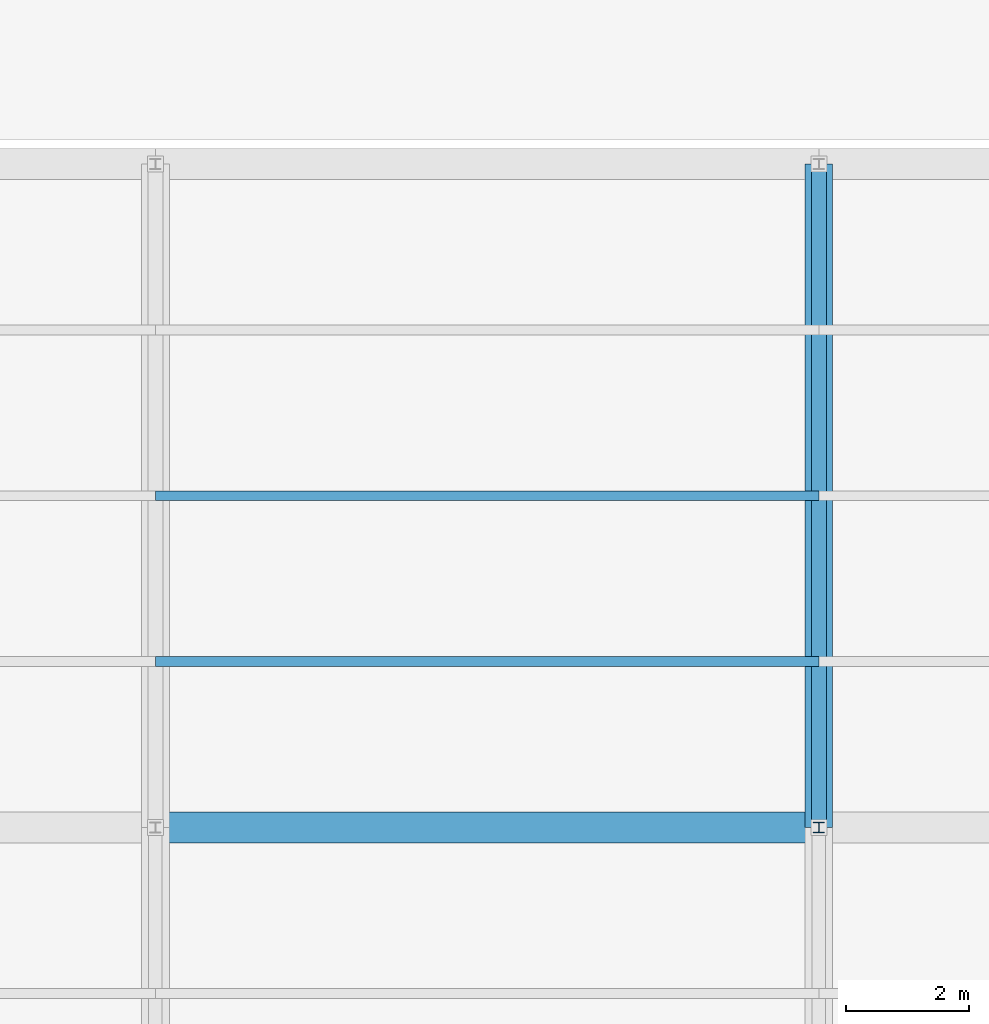
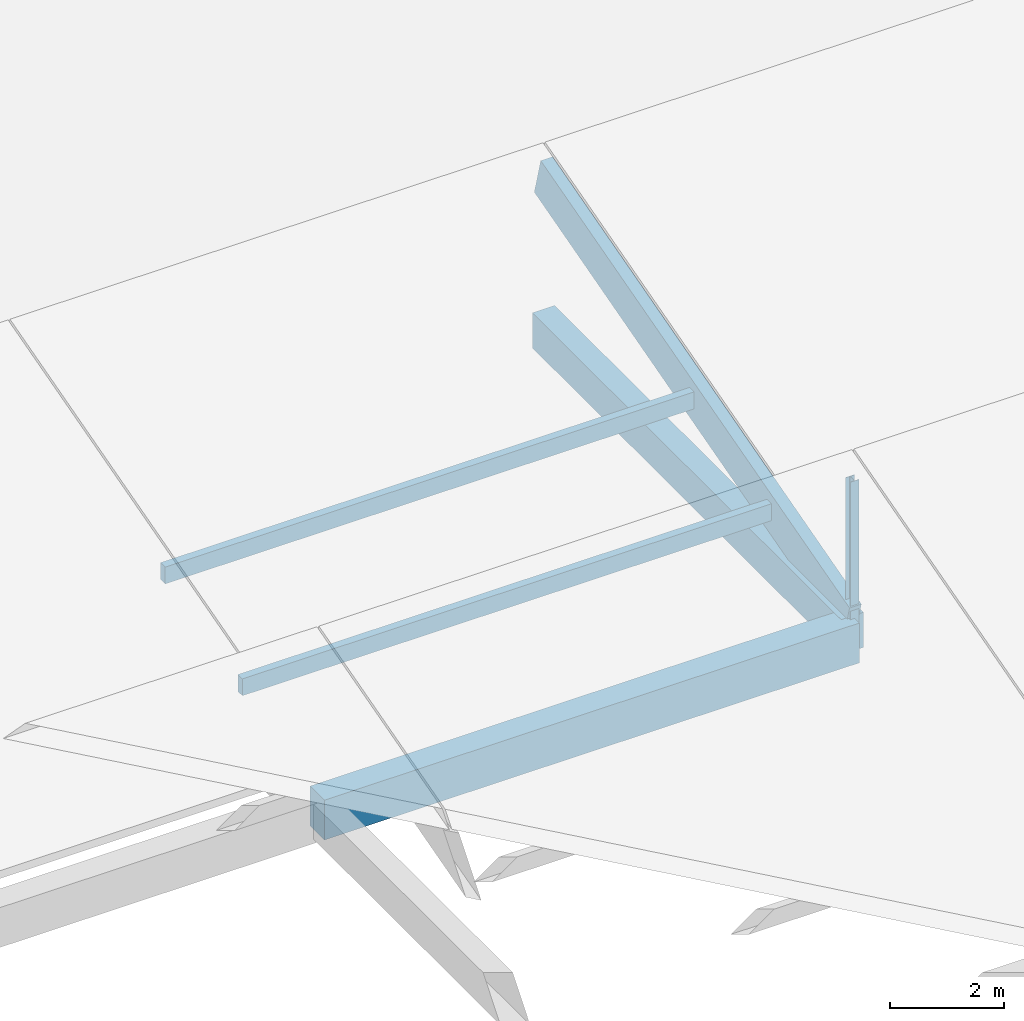
# One storey, part 32 of 112: 4 members, 2 beams.
"""IFC4 building model written with IfcOpenShell, lengths in metres."""

from ifc_helpers import new_model, si_unit, direction, frame, origin, origin_2d, place, context, subcontext, project, spatial, rectangle, i_section, extrude, material, material_profile, profile_set, type_object, element, save


model = new_model("IFC4")

# Units and contexts
model_context = context("Model", 3, precision=1e-05, world=origin(), true_north=direction((0.0, 1.0)))
body_context = subcontext(model_context, "Body", "Model", "MODEL_VIEW")
ifc_project = project(units=[si_unit("LENGTHUNIT", "METRE"), si_unit("AREAUNIT", "SQUARE_METRE"), si_unit("VOLUMEUNIT", "CUBIC_METRE"), si_unit("PLANEANGLEUNIT", "RADIAN"), si_unit("MASSUNIT", "GRAM", prefix="KILO")], contexts=[model_context])

# Site, building, storey
site_placement = place(None, origin())
site = spatial("IfcSite", under=ifc_project, at=site_placement, CompositionType="ELEMENT")
building_placement = place(site_placement, origin())
building = spatial("IfcBuilding", under=site, at=building_placement, Name="Zwinboog Wholesale Market", CompositionType="ELEMENT")
storey_placement = place(building_placement, frame((0.0, 0.0, 19.080078125)))
storey = spatial("IfcBuildingStorey", under=building, at=storey_placement, Name="Roof", CompositionType="ELEMENT", Elevation=19.080078125)

# Beams
ifc_material_1 = material(Name="Precast concrete C45/55", Category="concrete")
ifc_material_profile_1 = material_profile(ifc_material_1, rectangle(XDim=0.5, YDim=0.85009765625, at=origin_2d()), Name="PC 500x850")
ifc_profile_set_1 = profile_set([ifc_material_profile_1], Name="Precast concrete C45/55")
beam_type_1 = type_object("IfcBeamType", Name="BT-03", PredefinedType="BEAM", material=ifc_profile_set_1)
beam_1_placement = place(storey_placement, frame((10.800048828125, 97.199951171875, -9.425048828125), z_axis=(1.0, 0.0, 0.0), x_axis=(0.0, 1.0, 0.0)))
element("IfcBeam", 1, at=beam_1_placement, inside=storey, type_object=beam_type_1, Name="BG-03 (BMG-Roof-0108-0972-1184)", PredefinedType="BEAM", context=body_context, shape_type="SweptSolid", body=[
    extrude(rectangle(XDim=0.5, YDim=0.85009765625, at=origin_2d()), origin(), (0.0, 0.0, 1.0), 10.800048828125),
])
ifc_material_profile_2 = material_profile(ifc_material_1, rectangle(XDim=0.449951171875, YDim=0.75, at=origin_2d()), Name="PC 450x750")
ifc_profile_set_2 = profile_set([ifc_material_profile_2], Name="Precast concrete C45/55")
beam_type_2 = type_object("IfcBeamType", Name="BT-04", PredefinedType="BEAM", material=ifc_profile_set_2)
beam_2_placement = place(storey_placement, frame((21.60009765625, 97.199951171875, -9.375), z_axis=(0.0, 1.0, 0.0), x_axis=(-1.0, 0.0, 0.0)))
element("IfcBeam", 2, at=beam_2_placement, inside=storey, type_object=beam_type_2, Name="BG-04 (BMG-Roof-0216-0972-1230)", PredefinedType="BEAM", context=body_context, shape_type="SweptSolid", body=[
    extrude(rectangle(XDim=0.449951171875, YDim=0.75, at=origin_2d()), origin(), (0.0, 0.0, 1.0), 10.800048828125),
])

# Members
ifc_material_2 = material(Name="Steel S355", Category="steel")
ifc_material_profile_3 = material_profile(ifc_material_2, i_section(OverallWidth=0.179931640625, OverallDepth=0.1708984375, WebThickness=0.006103515625, FlangeThickness=0.009521484375, FilletRadius=0.014892578125, at=origin_2d()), Name="HEA 180")
ifc_profile_set_3 = profile_set([ifc_material_profile_3], Name="Steel S355")
member_type_1 = type_object("IfcMemberType", Name="MT-07", PredefinedType="BRACE", material=ifc_profile_set_3)
member_1_placement = place(storey_placement, frame((21.60009765625, 97.199951171875, -9.2001953125), z_axis=(0.0, 0.0, 1.0), x_axis=(1.0, 0.0, 0.0)))
element("IfcMember", 3, at=member_1_placement, inside=storey, type_object=member_type_1, Name="DB-04 (MEM-Roof-0818)", PredefinedType="BRACE", context=body_context, shape_type="SweptSolid", body=[
    extrude(i_section(OverallWidth=0.179931640625, OverallDepth=0.1708984375, WebThickness=0.006103515625, FlangeThickness=0.009521484375, FilletRadius=0.014892578125, at=origin_2d()), origin(), (0.0, 0.0, 1.0), 3.134521484375),
])
ifc_material_3 = material(Name="Glulam GL28h", Category="wood")
ifc_material_profile_4 = material_profile(ifc_material_3, rectangle(XDim=0.239990234375, YDim=0.840087890625, at=origin_2d()), Name="GL28h 240x840")
ifc_profile_set_4 = profile_set([ifc_material_profile_4], Name="Glulam GL28h")
member_type_2 = type_object("IfcMemberType", Name="MT-09", PredefinedType="RAFTER", material=ifc_profile_set_4)
member_2_placement = place(storey_placement, frame((21.60009765625, 97.199951171875, -9.125732421875), z_axis=(0.0, 0.963518221675, 0.26764274042), x_axis=(-1.0, 0.0, 0.0)))
element("IfcMember", 4, at=member_2_placement, inside=storey, type_object=member_type_2, Name="GR-01 (MEM-Roof-0837)", PredefinedType="RAFTER", context=body_context, shape_type="SweptSolid", body=[
    extrude(rectangle(XDim=0.239990234375, YDim=0.840087890625, at=origin_2d()), origin(), (0.0, 0.0, 1.0), 11.208984375),
])
ifc_material_profile_5 = material_profile(ifc_material_3, rectangle(XDim=0.159912109375, YDim=0.360107421875, at=origin_2d()), Name="GL28h 160x360")
ifc_profile_set_5 = profile_set([ifc_material_profile_5], Name="Glulam GL28h")
member_type_3 = type_object("IfcMemberType", Name="MT-12", PredefinedType="PURLIN", material=ifc_profile_set_5)
for number, where, z_axis, x_axis, name in (
    (5, (10.800048828125, 99.89990234375, -8.333251953125), (1.0, 0.0, 0.0), (0.0, 1.0, 0.0), "GP-01 (MEM-Roof-0834)"),
    (6, (10.800048828125, 102.60009765625, -7.583251953125), (1.0, 0.0, 0.0), (0.0, 1.0, 0.0), "GP-01 (MEM-PRL-Roof-0038)"),
):
    element("IfcMember", number, at=place(storey_placement, frame(where, z_axis=z_axis, x_axis=x_axis)), inside=storey, type_object=member_type_3, Name=name, PredefinedType="PURLIN", context=body_context, shape_type="SweptSolid", body=[
        extrude(rectangle(XDim=0.159912109375, YDim=0.360107421875, at=origin_2d()), origin(), (0.0, 0.0, 1.0), 10.800048828125),
    ])

save(model, "model.ifc")
